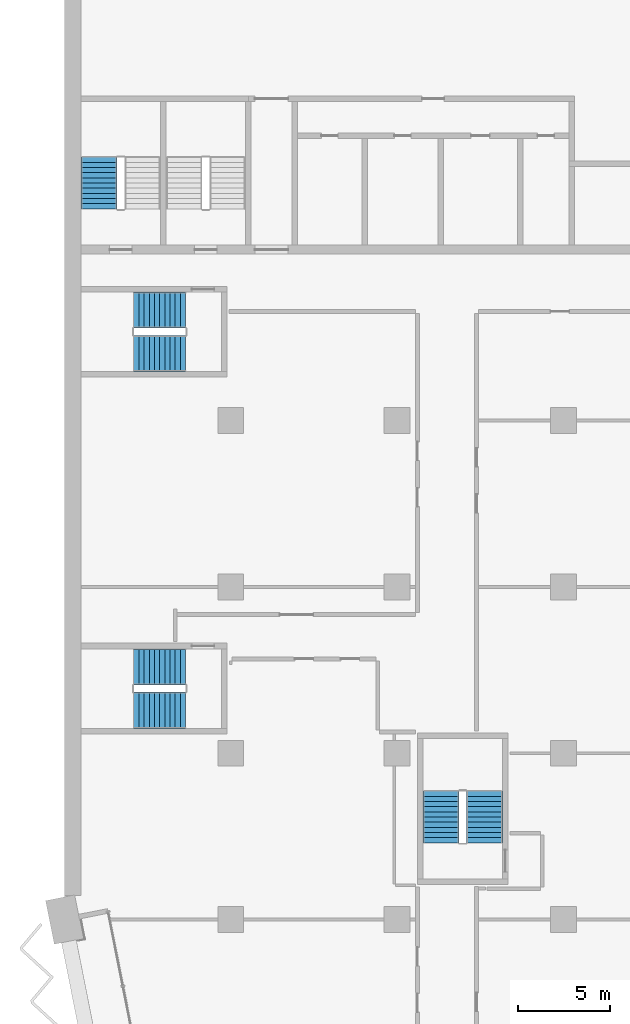
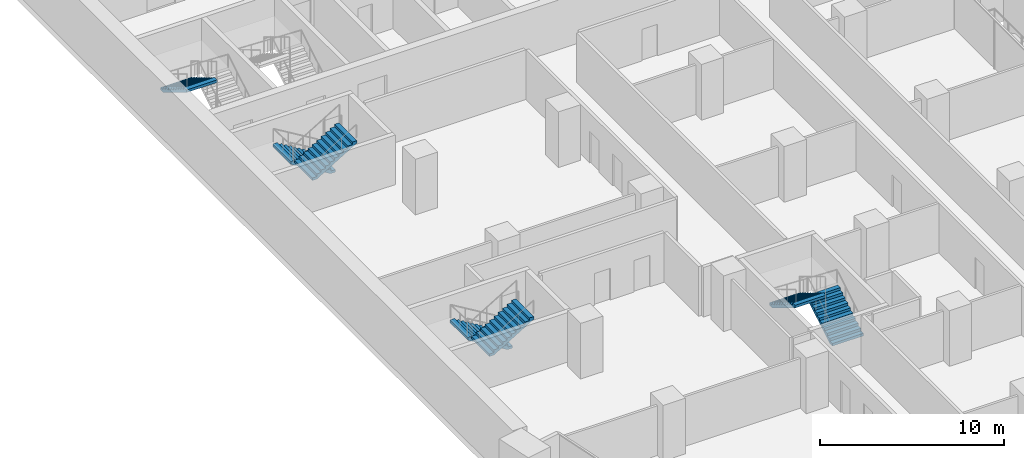
# One storey, part 20 of 29: 7 stair flights, 4 elements without a shape of their own.
"""IFC4 building model written with IfcOpenShell, lengths in metres."""

from ifc_helpers import new_model, si_unit, direction, frame, origin, place, context, subcontext, project, spatial, polyline, outline, extrude, material, type_object, element, aggregate, save


model = new_model("IFC4")

# Units and contexts
model_context = context("Model", 3, precision=1e-05, world=origin(), true_north=direction((0.0, 1.0)))
body_context = subcontext(model_context, "Body", "Model", "MODEL_VIEW")
ifc_project = project(units=[si_unit("LENGTHUNIT", "METRE"), si_unit("AREAUNIT", "SQUARE_METRE"), si_unit("VOLUMEUNIT", "CUBIC_METRE"), si_unit("PLANEANGLEUNIT", "RADIAN"), si_unit("MASSUNIT", "GRAM", prefix="KILO")], contexts=[model_context])

# Site, building, storey
site_placement = place(None, origin())
site = spatial("IfcSite", under=ifc_project, at=site_placement, CompositionType="ELEMENT")
building_placement = place(site_placement, origin())
building = spatial("IfcBuilding", under=site, at=building_placement, Name="Hunhe Ridgeline Campus", CompositionType="ELEMENT")
storey_placement = place(building_placement, frame((0.0, 0.0, 50.60009765625)))
storey = spatial("IfcBuildingStorey", under=building, at=storey_placement, Name="L11", CompositionType="ELEMENT", Elevation=50.60009765625)

# Stair, stair flight
ifc_material = material(Name="Concrete C40", Category="concrete")
stair_type = type_object("IfcStairType", Name="Reinforced concrete dog-leg stair 1950 Concrete C40", PredefinedType="HALF_TURN_STAIR", material=ifc_material)
stair_1_placement = place(storey_placement, origin())
stair_1 = element("IfcStair", 1, at=stair_1_placement, inside=storey, type_object=stair_type, Name="L11 S3", PredefinedType="HALF_TURN_STAIR")
stair_flight_type = type_object("IfcStairFlightType", Name="Reinforced concrete stair flight 1950 Concrete C40", PredefinedType="STRAIGHT", material=ifc_material)
stair_flight_1_placement = place(storey_placement, frame((1.875, 68.25, 1.849853515625), z_axis=(0.0, 0.0, 1.0), x_axis=(0.0, -1.0, 0.0)))
stair_flight_1 = element("IfcStairFlight", 2, at=stair_flight_1_placement, type_object=stair_flight_type, Name="ST3 flight 2", NumberOfRisers=11, NumberOfTreads=10, PredefinedType="STRAIGHT", RiserHeight=0.168181818, TreadLength=0.28, context=body_context, shape_type="SweptSolid", body=[
    extrude(outline(polyline([(0.0, 0.0), (0.0, 0.168212890625), (0.280029296875, 0.168212890625), (0.280029296875, 0.33642578125), (0.56005859375, 0.33642578125), (0.56005859375, 0.504638671875), (0.840087890625, 0.504638671875), (0.840087890625, 0.672607421875), (1.1201171875, 0.672607421875), (1.1201171875, 0.8408203125), (1.39990234375, 0.8408203125), (1.39990234375, 1.009033203125), (1.679931640625, 1.009033203125), (1.679931640625, 1.17724609375), (1.9599609375, 1.17724609375), (1.9599609375, 1.345458984375), (2.239990234375, 1.345458984375), (2.239990234375, 1.513671875), (2.52001953125, 1.513671875), (2.52001953125, 1.681884765625), (2.800048828125, 1.681884765625), (2.800048828125, 1.85009765625), (2.800048828125, 1.5068359375), (0.291015625, 0.0), (0.0, 0.0)])), frame((0.0, 0.97509765625, 0.0), z_axis=(0.0, -1.0, 0.0), x_axis=(1.0, 0.0, 0.0)), (0.0, 0.0, 1.0), 1.949951171875),
    extrude(outline(polyline([(0.030029296875, 0.030029296875), (0.030029296875, 0.13818359375), (0.31005859375, 0.13818359375), (0.31005859375, 0.306396484375), (0.590087890625, 0.306396484375), (0.590087890625, 0.474609375), (0.8701171875, 0.474609375), (0.8701171875, 0.642578125), (1.14990234375, 0.642578125), (1.14990234375, 0.810791015625), (1.429931640625, 0.810791015625), (1.429931640625, 0.97900390625), (1.7099609375, 0.97900390625), (1.7099609375, 1.147216796875), (1.989990234375, 1.147216796875), (1.989990234375, 1.3154296875), (2.27001953125, 1.3154296875), (2.27001953125, 1.483642578125), (2.550048828125, 1.483642578125), (2.550048828125, 1.65185546875), (2.77001953125, 1.65185546875), (2.77001953125, 1.52392578125), (0.28271484375, 0.030029296875), (0.030029296875, 0.030029296875)])), frame((0.0, -0.070068359375, 0.0), z_axis=(0.0, -1.0, 0.0), x_axis=(1.0, 0.0, 0.0)), (0.0, 0.0, 1.0), 0.019775390625),
    extrude(outline(polyline([(0.030029296875, 0.030029296875), (0.030029296875, 0.13818359375), (0.31005859375, 0.13818359375), (0.31005859375, 0.306396484375), (0.590087890625, 0.306396484375), (0.590087890625, 0.474609375), (0.8701171875, 0.474609375), (0.8701171875, 0.642578125), (1.14990234375, 0.642578125), (1.14990234375, 0.810791015625), (1.429931640625, 0.810791015625), (1.429931640625, 0.97900390625), (1.7099609375, 0.97900390625), (1.7099609375, 1.147216796875), (1.989990234375, 1.147216796875), (1.989990234375, 1.3154296875), (2.27001953125, 1.3154296875), (2.27001953125, 1.483642578125), (2.550048828125, 1.483642578125), (2.550048828125, 1.65185546875), (2.77001953125, 1.65185546875), (2.77001953125, 1.52392578125), (0.28271484375, 0.030029296875), (0.030029296875, 0.030029296875)])), frame((0.0, 0.010009765625, 0.0), z_axis=(0.0, -1.0, 0.0), x_axis=(1.0, 0.0, 0.0)), (0.0, 0.0, 1.0), 0.019775390625),
    extrude(outline(polyline([(0.030029296875, 0.030029296875), (0.030029296875, 0.13818359375), (0.31005859375, 0.13818359375), (0.31005859375, 0.306396484375), (0.590087890625, 0.306396484375), (0.590087890625, 0.474609375), (0.8701171875, 0.474609375), (0.8701171875, 0.642578125), (1.14990234375, 0.642578125), (1.14990234375, 0.810791015625), (1.429931640625, 0.810791015625), (1.429931640625, 0.97900390625), (1.7099609375, 0.97900390625), (1.7099609375, 1.147216796875), (1.989990234375, 1.147216796875), (1.989990234375, 1.3154296875), (2.27001953125, 1.3154296875), (2.27001953125, 1.483642578125), (2.550048828125, 1.483642578125), (2.550048828125, 1.65185546875), (2.77001953125, 1.65185546875), (2.77001953125, 1.52392578125), (0.28271484375, 0.030029296875), (0.030029296875, 0.030029296875)])), frame((0.0, 0.090087890625, 0.0), z_axis=(0.0, -1.0, 0.0), x_axis=(1.0, 0.0, 0.0)), (0.0, 0.0, 1.0), 0.019775390625),
])
aggregate(stair_1, [stair_flight_1])

# Stair, stair flights
stair_2_placement = place(storey_placement, origin())
stair_2 = element("IfcStair", 3, at=stair_2_placement, inside=storey, type_object=stair_type, Name="L11 W3", PredefinedType="HALF_TURN_STAIR")
stair_flight_2_placement = place(storey_placement, frame((22.72509765625, 31.14990234375, 0.0), z_axis=(0.0, 0.0, 1.0), x_axis=(0.0, 1.0, 0.0)))
stair_flight_2 = element("IfcStairFlight", 4, at=stair_flight_2_placement, type_object=stair_flight_type, Name="ST9 flight 1", NumberOfRisers=11, NumberOfTreads=10, PredefinedType="STRAIGHT", RiserHeight=0.168181818, TreadLength=0.28, context=body_context, shape_type="SweptSolid", body=[
    extrude(outline(polyline([(0.0, 0.0), (0.0, 0.168212890625), (0.280029296875, 0.168212890625), (0.280029296875, 0.33642578125), (0.56005859375, 0.33642578125), (0.56005859375, 0.504638671875), (0.840087890625, 0.504638671875), (0.840087890625, 0.672607421875), (1.1201171875, 0.672607421875), (1.1201171875, 0.8408203125), (1.39990234375, 0.8408203125), (1.39990234375, 1.009033203125), (1.679931640625, 1.009033203125), (1.679931640625, 1.17724609375), (1.9599609375, 1.17724609375), (1.9599609375, 1.345458984375), (2.239990234375, 1.345458984375), (2.239990234375, 1.513671875), (2.52001953125, 1.513671875), (2.52001953125, 1.681884765625), (2.800048828125, 1.681884765625), (2.800048828125, 1.85009765625), (2.800048828125, 1.5068359375), (0.291015625, 0.0), (0.0, 0.0)])), frame((0.0, 0.97509765625, 0.0), z_axis=(0.0, -1.0, 0.0), x_axis=(1.0, 0.0, 0.0)), (0.0, 0.0, 1.0), 1.949951171875),
    extrude(outline(polyline([(0.030029296875, 0.030029296875), (0.030029296875, 0.13818359375), (0.31005859375, 0.13818359375), (0.31005859375, 0.306396484375), (0.590087890625, 0.306396484375), (0.590087890625, 0.474609375), (0.8701171875, 0.474609375), (0.8701171875, 0.642578125), (1.14990234375, 0.642578125), (1.14990234375, 0.810791015625), (1.429931640625, 0.810791015625), (1.429931640625, 0.97900390625), (1.7099609375, 0.97900390625), (1.7099609375, 1.147216796875), (1.989990234375, 1.147216796875), (1.989990234375, 1.3154296875), (2.27001953125, 1.3154296875), (2.27001953125, 1.483642578125), (2.550048828125, 1.483642578125), (2.550048828125, 1.65185546875), (2.77001953125, 1.65185546875), (2.77001953125, 1.52392578125), (0.28271484375, 0.030029296875), (0.030029296875, 0.030029296875)])), frame((0.0, -0.070068359375, 0.0), z_axis=(0.0, -1.0, 0.0), x_axis=(1.0, 0.0, 0.0)), (0.0, 0.0, 1.0), 0.019775390625),
    extrude(outline(polyline([(0.030029296875, 0.030029296875), (0.030029296875, 0.13818359375), (0.31005859375, 0.13818359375), (0.31005859375, 0.306396484375), (0.590087890625, 0.306396484375), (0.590087890625, 0.474609375), (0.8701171875, 0.474609375), (0.8701171875, 0.642578125), (1.14990234375, 0.642578125), (1.14990234375, 0.810791015625), (1.429931640625, 0.810791015625), (1.429931640625, 0.97900390625), (1.7099609375, 0.97900390625), (1.7099609375, 1.147216796875), (1.989990234375, 1.147216796875), (1.989990234375, 1.3154296875), (2.27001953125, 1.3154296875), (2.27001953125, 1.483642578125), (2.550048828125, 1.483642578125), (2.550048828125, 1.65185546875), (2.77001953125, 1.65185546875), (2.77001953125, 1.52392578125), (0.28271484375, 0.030029296875), (0.030029296875, 0.030029296875)])), frame((0.0, 0.010009765625, 0.0), z_axis=(0.0, -1.0, 0.0), x_axis=(1.0, 0.0, 0.0)), (0.0, 0.0, 1.0), 0.019775390625),
    extrude(outline(polyline([(0.030029296875, 0.030029296875), (0.030029296875, 0.13818359375), (0.31005859375, 0.13818359375), (0.31005859375, 0.306396484375), (0.590087890625, 0.306396484375), (0.590087890625, 0.474609375), (0.8701171875, 0.474609375), (0.8701171875, 0.642578125), (1.14990234375, 0.642578125), (1.14990234375, 0.810791015625), (1.429931640625, 0.810791015625), (1.429931640625, 0.97900390625), (1.7099609375, 0.97900390625), (1.7099609375, 1.147216796875), (1.989990234375, 1.147216796875), (1.989990234375, 1.3154296875), (2.27001953125, 1.3154296875), (2.27001953125, 1.483642578125), (2.550048828125, 1.483642578125), (2.550048828125, 1.65185546875), (2.77001953125, 1.65185546875), (2.77001953125, 1.52392578125), (0.28271484375, 0.030029296875), (0.030029296875, 0.030029296875)])), frame((0.0, 0.090087890625, 0.0), z_axis=(0.0, -1.0, 0.0), x_axis=(1.0, 0.0, 0.0)), (0.0, 0.0, 1.0), 0.019775390625),
])
stair_flight_3_placement = place(storey_placement, frame((20.375, 33.949951171875, 1.849853515625), z_axis=(0.0, 0.0, 1.0), x_axis=(0.0, -1.0, 0.0)))
stair_flight_3 = element("IfcStairFlight", 5, at=stair_flight_3_placement, type_object=stair_flight_type, Name="ST9 flight 2", NumberOfRisers=11, NumberOfTreads=10, PredefinedType="STRAIGHT", RiserHeight=0.168181818, TreadLength=0.28, context=body_context, shape_type="SweptSolid", body=[
    extrude(outline(polyline([(0.0, 0.0), (0.0, 0.168212890625), (0.280029296875, 0.168212890625), (0.280029296875, 0.33642578125), (0.56005859375, 0.33642578125), (0.56005859375, 0.504638671875), (0.840087890625, 0.504638671875), (0.840087890625, 0.672607421875), (1.1201171875, 0.672607421875), (1.1201171875, 0.8408203125), (1.39990234375, 0.8408203125), (1.39990234375, 1.009033203125), (1.679931640625, 1.009033203125), (1.679931640625, 1.17724609375), (1.9599609375, 1.17724609375), (1.9599609375, 1.345458984375), (2.239990234375, 1.345458984375), (2.239990234375, 1.513671875), (2.52001953125, 1.513671875), (2.52001953125, 1.681884765625), (2.800048828125, 1.681884765625), (2.800048828125, 1.85009765625), (2.800048828125, 1.5068359375), (0.291015625, 0.0), (0.0, 0.0)])), frame((0.0, 0.97509765625, 0.0), z_axis=(0.0, -1.0, 0.0), x_axis=(1.0, 0.0, 0.0)), (0.0, 0.0, 1.0), 1.949951171875),
    extrude(outline(polyline([(0.030029296875, 0.030029296875), (0.030029296875, 0.13818359375), (0.31005859375, 0.13818359375), (0.31005859375, 0.306396484375), (0.590087890625, 0.306396484375), (0.590087890625, 0.474609375), (0.8701171875, 0.474609375), (0.8701171875, 0.642578125), (1.14990234375, 0.642578125), (1.14990234375, 0.810791015625), (1.429931640625, 0.810791015625), (1.429931640625, 0.97900390625), (1.7099609375, 0.97900390625), (1.7099609375, 1.147216796875), (1.989990234375, 1.147216796875), (1.989990234375, 1.3154296875), (2.27001953125, 1.3154296875), (2.27001953125, 1.483642578125), (2.550048828125, 1.483642578125), (2.550048828125, 1.65185546875), (2.77001953125, 1.65185546875), (2.77001953125, 1.52392578125), (0.28271484375, 0.030029296875), (0.030029296875, 0.030029296875)])), frame((0.0, -0.070068359375, 0.0), z_axis=(0.0, -1.0, 0.0), x_axis=(1.0, 0.0, 0.0)), (0.0, 0.0, 1.0), 0.019775390625),
    extrude(outline(polyline([(0.030029296875, 0.030029296875), (0.030029296875, 0.13818359375), (0.31005859375, 0.13818359375), (0.31005859375, 0.306396484375), (0.590087890625, 0.306396484375), (0.590087890625, 0.474609375), (0.8701171875, 0.474609375), (0.8701171875, 0.642578125), (1.14990234375, 0.642578125), (1.14990234375, 0.810791015625), (1.429931640625, 0.810791015625), (1.429931640625, 0.97900390625), (1.7099609375, 0.97900390625), (1.7099609375, 1.147216796875), (1.989990234375, 1.147216796875), (1.989990234375, 1.3154296875), (2.27001953125, 1.3154296875), (2.27001953125, 1.483642578125), (2.550048828125, 1.483642578125), (2.550048828125, 1.65185546875), (2.77001953125, 1.65185546875), (2.77001953125, 1.52392578125), (0.28271484375, 0.030029296875), (0.030029296875, 0.030029296875)])), frame((0.0, 0.010009765625, 0.0), z_axis=(0.0, -1.0, 0.0), x_axis=(1.0, 0.0, 0.0)), (0.0, 0.0, 1.0), 0.019775390625),
    extrude(outline(polyline([(0.030029296875, 0.030029296875), (0.030029296875, 0.13818359375), (0.31005859375, 0.13818359375), (0.31005859375, 0.306396484375), (0.590087890625, 0.306396484375), (0.590087890625, 0.474609375), (0.8701171875, 0.474609375), (0.8701171875, 0.642578125), (1.14990234375, 0.642578125), (1.14990234375, 0.810791015625), (1.429931640625, 0.810791015625), (1.429931640625, 0.97900390625), (1.7099609375, 0.97900390625), (1.7099609375, 1.147216796875), (1.989990234375, 1.147216796875), (1.989990234375, 1.3154296875), (2.27001953125, 1.3154296875), (2.27001953125, 1.483642578125), (2.550048828125, 1.483642578125), (2.550048828125, 1.65185546875), (2.77001953125, 1.65185546875), (2.77001953125, 1.52392578125), (0.28271484375, 0.030029296875), (0.030029296875, 0.030029296875)])), frame((0.0, 0.090087890625, 0.0), z_axis=(0.0, -1.0, 0.0), x_axis=(1.0, 0.0, 0.0)), (0.0, 0.0, 1.0), 0.019775390625),
])
aggregate(stair_2, [stair_flight_2, stair_flight_3])

stair_3_placement = place(storey_placement, origin())
stair_3 = element("IfcStair", 6, at=stair_3_placement, inside=storey, type_object=stair_type, Name="L11 W1", PredefinedType="HALF_TURN_STAIR")
stair_flight_4_placement = place(storey_placement, frame((6.550048828125, 40.675048828125, 0.0), z_axis=(0.0, 0.0, 1.0), x_axis=(-1.0, 0.0, 0.0)))
stair_flight_4 = element("IfcStairFlight", 7, at=stair_flight_4_placement, type_object=stair_flight_type, Name="ST11 flight 1", NumberOfRisers=11, NumberOfTreads=10, PredefinedType="STRAIGHT", RiserHeight=0.168181818, TreadLength=0.28, context=body_context, shape_type="SweptSolid", body=[
    extrude(outline(polyline([(0.0, 0.0), (0.0, 0.168212890625), (0.280029296875, 0.168212890625), (0.280029296875, 0.33642578125), (0.56005859375, 0.33642578125), (0.56005859375, 0.504638671875), (0.840087890625, 0.504638671875), (0.840087890625, 0.672607421875), (1.1201171875, 0.672607421875), (1.1201171875, 0.8408203125), (1.39990234375, 0.8408203125), (1.39990234375, 1.009033203125), (1.679931640625, 1.009033203125), (1.679931640625, 1.17724609375), (1.9599609375, 1.17724609375), (1.9599609375, 1.345458984375), (2.239990234375, 1.345458984375), (2.239990234375, 1.513671875), (2.52001953125, 1.513671875), (2.52001953125, 1.681884765625), (2.800048828125, 1.681884765625), (2.800048828125, 1.85009765625), (2.800048828125, 1.5068359375), (0.291015625, 0.0), (0.0, 0.0)])), frame((0.0, 0.97509765625, 0.0), z_axis=(0.0, -1.0, 0.0), x_axis=(1.0, 0.0, 0.0)), (0.0, 0.0, 1.0), 1.949951171875),
    extrude(outline(polyline([(0.030029296875, 0.030029296875), (0.030029296875, 0.13818359375), (0.31005859375, 0.13818359375), (0.31005859375, 0.306396484375), (0.590087890625, 0.306396484375), (0.590087890625, 0.474609375), (0.8701171875, 0.474609375), (0.8701171875, 0.642578125), (1.14990234375, 0.642578125), (1.14990234375, 0.810791015625), (1.429931640625, 0.810791015625), (1.429931640625, 0.97900390625), (1.7099609375, 0.97900390625), (1.7099609375, 1.147216796875), (1.989990234375, 1.147216796875), (1.989990234375, 1.3154296875), (2.27001953125, 1.3154296875), (2.27001953125, 1.483642578125), (2.550048828125, 1.483642578125), (2.550048828125, 1.65185546875), (2.77001953125, 1.65185546875), (2.77001953125, 1.52392578125), (0.28271484375, 0.030029296875), (0.030029296875, 0.030029296875)])), frame((0.0, -0.070068359375, 0.0), z_axis=(0.0, -1.0, 0.0), x_axis=(1.0, 0.0, 0.0)), (0.0, 0.0, 1.0), 0.019775390625),
    extrude(outline(polyline([(0.030029296875, 0.030029296875), (0.030029296875, 0.13818359375), (0.31005859375, 0.13818359375), (0.31005859375, 0.306396484375), (0.590087890625, 0.306396484375), (0.590087890625, 0.474609375), (0.8701171875, 0.474609375), (0.8701171875, 0.642578125), (1.14990234375, 0.642578125), (1.14990234375, 0.810791015625), (1.429931640625, 0.810791015625), (1.429931640625, 0.97900390625), (1.7099609375, 0.97900390625), (1.7099609375, 1.147216796875), (1.989990234375, 1.147216796875), (1.989990234375, 1.3154296875), (2.27001953125, 1.3154296875), (2.27001953125, 1.483642578125), (2.550048828125, 1.483642578125), (2.550048828125, 1.65185546875), (2.77001953125, 1.65185546875), (2.77001953125, 1.52392578125), (0.28271484375, 0.030029296875), (0.030029296875, 0.030029296875)])), frame((0.0, 0.010009765625, 0.0), z_axis=(0.0, -1.0, 0.0), x_axis=(1.0, 0.0, 0.0)), (0.0, 0.0, 1.0), 0.019775390625),
    extrude(outline(polyline([(0.030029296875, 0.030029296875), (0.030029296875, 0.13818359375), (0.31005859375, 0.13818359375), (0.31005859375, 0.306396484375), (0.590087890625, 0.306396484375), (0.590087890625, 0.474609375), (0.8701171875, 0.474609375), (0.8701171875, 0.642578125), (1.14990234375, 0.642578125), (1.14990234375, 0.810791015625), (1.429931640625, 0.810791015625), (1.429931640625, 0.97900390625), (1.7099609375, 0.97900390625), (1.7099609375, 1.147216796875), (1.989990234375, 1.147216796875), (1.989990234375, 1.3154296875), (2.27001953125, 1.3154296875), (2.27001953125, 1.483642578125), (2.550048828125, 1.483642578125), (2.550048828125, 1.65185546875), (2.77001953125, 1.65185546875), (2.77001953125, 1.52392578125), (0.28271484375, 0.030029296875), (0.030029296875, 0.030029296875)])), frame((0.0, 0.090087890625, 0.0), z_axis=(0.0, -1.0, 0.0), x_axis=(1.0, 0.0, 0.0)), (0.0, 0.0, 1.0), 0.019775390625),
])
stair_flight_5_placement = place(storey_placement, frame((3.75, 38.324951171875, 1.849853515625), z_axis=(0.0, 0.0, 1.0), x_axis=(1.0, 0.0, 0.0)))
stair_flight_5 = element("IfcStairFlight", 8, at=stair_flight_5_placement, type_object=stair_flight_type, Name="ST11 flight 2", NumberOfRisers=11, NumberOfTreads=10, PredefinedType="STRAIGHT", RiserHeight=0.168181818, TreadLength=0.28, context=body_context, shape_type="SweptSolid", body=[
    extrude(outline(polyline([(0.0, 0.0), (0.0, 0.168212890625), (0.280029296875, 0.168212890625), (0.280029296875, 0.33642578125), (0.56005859375, 0.33642578125), (0.56005859375, 0.504638671875), (0.840087890625, 0.504638671875), (0.840087890625, 0.672607421875), (1.1201171875, 0.672607421875), (1.1201171875, 0.8408203125), (1.39990234375, 0.8408203125), (1.39990234375, 1.009033203125), (1.679931640625, 1.009033203125), (1.679931640625, 1.17724609375), (1.9599609375, 1.17724609375), (1.9599609375, 1.345458984375), (2.239990234375, 1.345458984375), (2.239990234375, 1.513671875), (2.52001953125, 1.513671875), (2.52001953125, 1.681884765625), (2.800048828125, 1.681884765625), (2.800048828125, 1.85009765625), (2.800048828125, 1.5068359375), (0.291015625, 0.0), (0.0, 0.0)])), frame((0.0, 0.97509765625, 0.0), z_axis=(0.0, -1.0, 0.0), x_axis=(1.0, 0.0, 0.0)), (0.0, 0.0, 1.0), 1.949951171875),
    extrude(outline(polyline([(0.030029296875, 0.030029296875), (0.030029296875, 0.13818359375), (0.31005859375, 0.13818359375), (0.31005859375, 0.306396484375), (0.590087890625, 0.306396484375), (0.590087890625, 0.474609375), (0.8701171875, 0.474609375), (0.8701171875, 0.642578125), (1.14990234375, 0.642578125), (1.14990234375, 0.810791015625), (1.429931640625, 0.810791015625), (1.429931640625, 0.97900390625), (1.7099609375, 0.97900390625), (1.7099609375, 1.147216796875), (1.989990234375, 1.147216796875), (1.989990234375, 1.3154296875), (2.27001953125, 1.3154296875), (2.27001953125, 1.483642578125), (2.550048828125, 1.483642578125), (2.550048828125, 1.65185546875), (2.77001953125, 1.65185546875), (2.77001953125, 1.52392578125), (0.28271484375, 0.030029296875), (0.030029296875, 0.030029296875)])), frame((0.0, -0.070068359375, 0.0), z_axis=(0.0, -1.0, 0.0), x_axis=(1.0, 0.0, 0.0)), (0.0, 0.0, 1.0), 0.019775390625),
    extrude(outline(polyline([(0.030029296875, 0.030029296875), (0.030029296875, 0.13818359375), (0.31005859375, 0.13818359375), (0.31005859375, 0.306396484375), (0.590087890625, 0.306396484375), (0.590087890625, 0.474609375), (0.8701171875, 0.474609375), (0.8701171875, 0.642578125), (1.14990234375, 0.642578125), (1.14990234375, 0.810791015625), (1.429931640625, 0.810791015625), (1.429931640625, 0.97900390625), (1.7099609375, 0.97900390625), (1.7099609375, 1.147216796875), (1.989990234375, 1.147216796875), (1.989990234375, 1.3154296875), (2.27001953125, 1.3154296875), (2.27001953125, 1.483642578125), (2.550048828125, 1.483642578125), (2.550048828125, 1.65185546875), (2.77001953125, 1.65185546875), (2.77001953125, 1.52392578125), (0.28271484375, 0.030029296875), (0.030029296875, 0.030029296875)])), frame((0.0, 0.010009765625, 0.0), z_axis=(0.0, -1.0, 0.0), x_axis=(1.0, 0.0, 0.0)), (0.0, 0.0, 1.0), 0.019775390625),
    extrude(outline(polyline([(0.030029296875, 0.030029296875), (0.030029296875, 0.13818359375), (0.31005859375, 0.13818359375), (0.31005859375, 0.306396484375), (0.590087890625, 0.306396484375), (0.590087890625, 0.474609375), (0.8701171875, 0.474609375), (0.8701171875, 0.642578125), (1.14990234375, 0.642578125), (1.14990234375, 0.810791015625), (1.429931640625, 0.810791015625), (1.429931640625, 0.97900390625), (1.7099609375, 0.97900390625), (1.7099609375, 1.147216796875), (1.989990234375, 1.147216796875), (1.989990234375, 1.3154296875), (2.27001953125, 1.3154296875), (2.27001953125, 1.483642578125), (2.550048828125, 1.483642578125), (2.550048828125, 1.65185546875), (2.77001953125, 1.65185546875), (2.77001953125, 1.52392578125), (0.28271484375, 0.030029296875), (0.030029296875, 0.030029296875)])), frame((0.0, 0.090087890625, 0.0), z_axis=(0.0, -1.0, 0.0), x_axis=(1.0, 0.0, 0.0)), (0.0, 0.0, 1.0), 0.019775390625),
])
aggregate(stair_3, [stair_flight_4, stair_flight_5])

stair_4_placement = place(storey_placement, origin())
stair_4 = element("IfcStair", 9, at=stair_4_placement, inside=storey, type_object=stair_type, Name="L11 W2", PredefinedType="HALF_TURN_STAIR")
stair_flight_6_placement = place(storey_placement, frame((6.550048828125, 59.97509765625, 0.0), z_axis=(0.0, 0.0, 1.0), x_axis=(-1.0, 0.0, 0.0)))
stair_flight_6 = element("IfcStairFlight", 10, at=stair_flight_6_placement, type_object=stair_flight_type, Name="ST12 flight 1", NumberOfRisers=11, NumberOfTreads=10, PredefinedType="STRAIGHT", RiserHeight=0.168181818, TreadLength=0.28, context=body_context, shape_type="SweptSolid", body=[
    extrude(outline(polyline([(0.0, 0.0), (0.0, 0.168212890625), (0.280029296875, 0.168212890625), (0.280029296875, 0.33642578125), (0.56005859375, 0.33642578125), (0.56005859375, 0.504638671875), (0.840087890625, 0.504638671875), (0.840087890625, 0.672607421875), (1.1201171875, 0.672607421875), (1.1201171875, 0.8408203125), (1.39990234375, 0.8408203125), (1.39990234375, 1.009033203125), (1.679931640625, 1.009033203125), (1.679931640625, 1.17724609375), (1.9599609375, 1.17724609375), (1.9599609375, 1.345458984375), (2.239990234375, 1.345458984375), (2.239990234375, 1.513671875), (2.52001953125, 1.513671875), (2.52001953125, 1.681884765625), (2.800048828125, 1.681884765625), (2.800048828125, 1.85009765625), (2.800048828125, 1.5068359375), (0.291015625, 0.0), (0.0, 0.0)])), frame((0.0, 0.97509765625, 0.0), z_axis=(0.0, -1.0, 0.0), x_axis=(1.0, 0.0, 0.0)), (0.0, 0.0, 1.0), 1.949951171875),
    extrude(outline(polyline([(0.030029296875, 0.030029296875), (0.030029296875, 0.13818359375), (0.31005859375, 0.13818359375), (0.31005859375, 0.306396484375), (0.590087890625, 0.306396484375), (0.590087890625, 0.474609375), (0.8701171875, 0.474609375), (0.8701171875, 0.642578125), (1.14990234375, 0.642578125), (1.14990234375, 0.810791015625), (1.429931640625, 0.810791015625), (1.429931640625, 0.97900390625), (1.7099609375, 0.97900390625), (1.7099609375, 1.147216796875), (1.989990234375, 1.147216796875), (1.989990234375, 1.3154296875), (2.27001953125, 1.3154296875), (2.27001953125, 1.483642578125), (2.550048828125, 1.483642578125), (2.550048828125, 1.65185546875), (2.77001953125, 1.65185546875), (2.77001953125, 1.52392578125), (0.28271484375, 0.030029296875), (0.030029296875, 0.030029296875)])), frame((0.0, -0.070068359375, 0.0), z_axis=(0.0, -1.0, 0.0), x_axis=(1.0, 0.0, 0.0)), (0.0, 0.0, 1.0), 0.019775390625),
    extrude(outline(polyline([(0.030029296875, 0.030029296875), (0.030029296875, 0.13818359375), (0.31005859375, 0.13818359375), (0.31005859375, 0.306396484375), (0.590087890625, 0.306396484375), (0.590087890625, 0.474609375), (0.8701171875, 0.474609375), (0.8701171875, 0.642578125), (1.14990234375, 0.642578125), (1.14990234375, 0.810791015625), (1.429931640625, 0.810791015625), (1.429931640625, 0.97900390625), (1.7099609375, 0.97900390625), (1.7099609375, 1.147216796875), (1.989990234375, 1.147216796875), (1.989990234375, 1.3154296875), (2.27001953125, 1.3154296875), (2.27001953125, 1.483642578125), (2.550048828125, 1.483642578125), (2.550048828125, 1.65185546875), (2.77001953125, 1.65185546875), (2.77001953125, 1.52392578125), (0.28271484375, 0.030029296875), (0.030029296875, 0.030029296875)])), frame((0.0, 0.010009765625, 0.0), z_axis=(0.0, -1.0, 0.0), x_axis=(1.0, 0.0, 0.0)), (0.0, 0.0, 1.0), 0.019775390625),
    extrude(outline(polyline([(0.030029296875, 0.030029296875), (0.030029296875, 0.13818359375), (0.31005859375, 0.13818359375), (0.31005859375, 0.306396484375), (0.590087890625, 0.306396484375), (0.590087890625, 0.474609375), (0.8701171875, 0.474609375), (0.8701171875, 0.642578125), (1.14990234375, 0.642578125), (1.14990234375, 0.810791015625), (1.429931640625, 0.810791015625), (1.429931640625, 0.97900390625), (1.7099609375, 0.97900390625), (1.7099609375, 1.147216796875), (1.989990234375, 1.147216796875), (1.989990234375, 1.3154296875), (2.27001953125, 1.3154296875), (2.27001953125, 1.483642578125), (2.550048828125, 1.483642578125), (2.550048828125, 1.65185546875), (2.77001953125, 1.65185546875), (2.77001953125, 1.52392578125), (0.28271484375, 0.030029296875), (0.030029296875, 0.030029296875)])), frame((0.0, 0.090087890625, 0.0), z_axis=(0.0, -1.0, 0.0), x_axis=(1.0, 0.0, 0.0)), (0.0, 0.0, 1.0), 0.019775390625),
])
stair_flight_7_placement = place(storey_placement, frame((3.75, 57.625, 1.849853515625), z_axis=(0.0, 0.0, 1.0), x_axis=(1.0, 0.0, 0.0)))
stair_flight_7 = element("IfcStairFlight", 11, at=stair_flight_7_placement, type_object=stair_flight_type, Name="ST12 flight 2", NumberOfRisers=11, NumberOfTreads=10, PredefinedType="STRAIGHT", RiserHeight=0.168181818, TreadLength=0.28, context=body_context, shape_type="SweptSolid", body=[
    extrude(outline(polyline([(0.0, 0.0), (0.0, 0.168212890625), (0.280029296875, 0.168212890625), (0.280029296875, 0.33642578125), (0.56005859375, 0.33642578125), (0.56005859375, 0.504638671875), (0.840087890625, 0.504638671875), (0.840087890625, 0.672607421875), (1.1201171875, 0.672607421875), (1.1201171875, 0.8408203125), (1.39990234375, 0.8408203125), (1.39990234375, 1.009033203125), (1.679931640625, 1.009033203125), (1.679931640625, 1.17724609375), (1.9599609375, 1.17724609375), (1.9599609375, 1.345458984375), (2.239990234375, 1.345458984375), (2.239990234375, 1.513671875), (2.52001953125, 1.513671875), (2.52001953125, 1.681884765625), (2.800048828125, 1.681884765625), (2.800048828125, 1.85009765625), (2.800048828125, 1.5068359375), (0.291015625, 0.0), (0.0, 0.0)])), frame((0.0, 0.97509765625, 0.0), z_axis=(0.0, -1.0, 0.0), x_axis=(1.0, 0.0, 0.0)), (0.0, 0.0, 1.0), 1.949951171875),
    extrude(outline(polyline([(0.030029296875, 0.030029296875), (0.030029296875, 0.13818359375), (0.31005859375, 0.13818359375), (0.31005859375, 0.306396484375), (0.590087890625, 0.306396484375), (0.590087890625, 0.474609375), (0.8701171875, 0.474609375), (0.8701171875, 0.642578125), (1.14990234375, 0.642578125), (1.14990234375, 0.810791015625), (1.429931640625, 0.810791015625), (1.429931640625, 0.97900390625), (1.7099609375, 0.97900390625), (1.7099609375, 1.147216796875), (1.989990234375, 1.147216796875), (1.989990234375, 1.3154296875), (2.27001953125, 1.3154296875), (2.27001953125, 1.483642578125), (2.550048828125, 1.483642578125), (2.550048828125, 1.65185546875), (2.77001953125, 1.65185546875), (2.77001953125, 1.52392578125), (0.28271484375, 0.030029296875), (0.030029296875, 0.030029296875)])), frame((0.0, -0.070068359375, 0.0), z_axis=(0.0, -1.0, 0.0), x_axis=(1.0, 0.0, 0.0)), (0.0, 0.0, 1.0), 0.019775390625),
    extrude(outline(polyline([(0.030029296875, 0.030029296875), (0.030029296875, 0.13818359375), (0.31005859375, 0.13818359375), (0.31005859375, 0.306396484375), (0.590087890625, 0.306396484375), (0.590087890625, 0.474609375), (0.8701171875, 0.474609375), (0.8701171875, 0.642578125), (1.14990234375, 0.642578125), (1.14990234375, 0.810791015625), (1.429931640625, 0.810791015625), (1.429931640625, 0.97900390625), (1.7099609375, 0.97900390625), (1.7099609375, 1.147216796875), (1.989990234375, 1.147216796875), (1.989990234375, 1.3154296875), (2.27001953125, 1.3154296875), (2.27001953125, 1.483642578125), (2.550048828125, 1.483642578125), (2.550048828125, 1.65185546875), (2.77001953125, 1.65185546875), (2.77001953125, 1.52392578125), (0.28271484375, 0.030029296875), (0.030029296875, 0.030029296875)])), frame((0.0, 0.010009765625, 0.0), z_axis=(0.0, -1.0, 0.0), x_axis=(1.0, 0.0, 0.0)), (0.0, 0.0, 1.0), 0.019775390625),
    extrude(outline(polyline([(0.030029296875, 0.030029296875), (0.030029296875, 0.13818359375), (0.31005859375, 0.13818359375), (0.31005859375, 0.306396484375), (0.590087890625, 0.306396484375), (0.590087890625, 0.474609375), (0.8701171875, 0.474609375), (0.8701171875, 0.642578125), (1.14990234375, 0.642578125), (1.14990234375, 0.810791015625), (1.429931640625, 0.810791015625), (1.429931640625, 0.97900390625), (1.7099609375, 0.97900390625), (1.7099609375, 1.147216796875), (1.989990234375, 1.147216796875), (1.989990234375, 1.3154296875), (2.27001953125, 1.3154296875), (2.27001953125, 1.483642578125), (2.550048828125, 1.483642578125), (2.550048828125, 1.65185546875), (2.77001953125, 1.65185546875), (2.77001953125, 1.52392578125), (0.28271484375, 0.030029296875), (0.030029296875, 0.030029296875)])), frame((0.0, 0.090087890625, 0.0), z_axis=(0.0, -1.0, 0.0), x_axis=(1.0, 0.0, 0.0)), (0.0, 0.0, 1.0), 0.019775390625),
])
aggregate(stair_4, [stair_flight_6, stair_flight_7])

save(model, "model.ifc")
